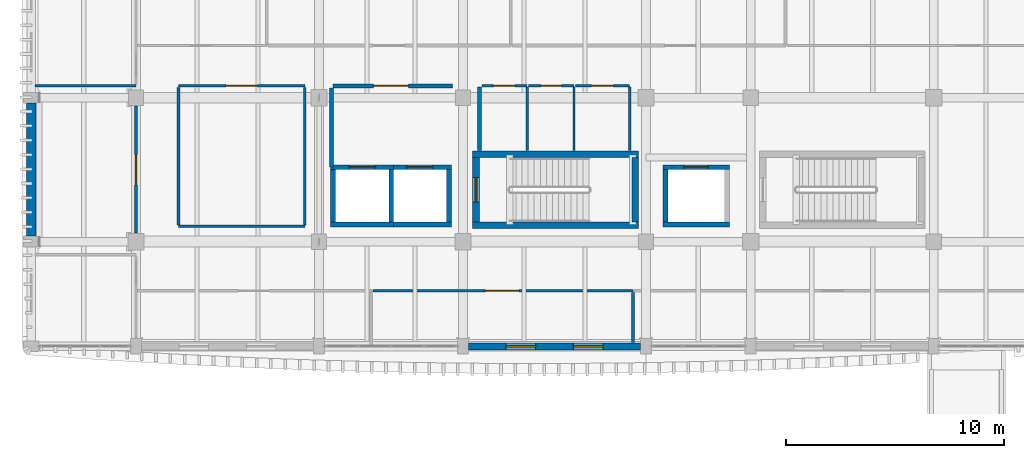
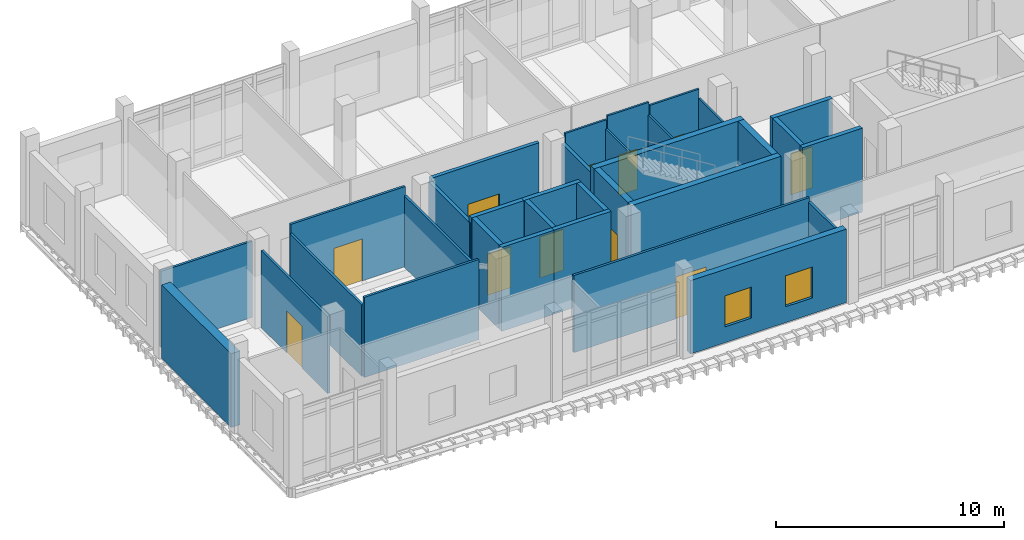
# One storey, part 51 of 76: 33 walls, 11 doors, 2 windows, 13 openings.
"""IFC4 building model written with IfcOpenShell, lengths in metres."""

from ifc_helpers import new_model, si_unit, direction, frame, frame_2d, origin, place, context, subcontext, project, spatial, rectangle, extrude, material, layer, layer_set, type_object, element, fill, save


model = new_model("IFC4")

# Units and contexts
model_context = context("Model", 3, precision=1e-05, world=origin(), true_north=direction((0.0, 1.0)))
body_context = subcontext(model_context, "Body", "Model", "MODEL_VIEW")
ifc_project = project(units=[si_unit("LENGTHUNIT", "METRE"), si_unit("AREAUNIT", "SQUARE_METRE"), si_unit("VOLUMEUNIT", "CUBIC_METRE"), si_unit("PLANEANGLEUNIT", "RADIAN"), si_unit("MASSUNIT", "GRAM", prefix="KILO")], contexts=[model_context])

# Site, building, storey
site_placement = place(None, origin())
site = spatial("IfcSite", under=ifc_project, at=site_placement, CompositionType="ELEMENT")
building_placement = place(site_placement, origin())
building = spatial("IfcBuilding", under=site, at=building_placement, Name="Dornvale Research Institute", CompositionType="ELEMENT")
storey_placement = place(building_placement, frame((0.0, 0.0, 15.0)))
storey = spatial("IfcBuildingStorey", under=building, at=storey_placement, Name="L03", CompositionType="ELEMENT", Elevation=15.0)

# Wall
ifc_material_1 = material(Name="Acoustic Insulated Double-Stud Laboratory Partition")
ifc_layer_1 = layer(ifc_material_1, 0.1201171875)
ifc_layer_set_1 = layer_set([ifc_layer_1], Name="Acoustic Insulated Double-Stud Laboratory Partition")
wall_type_1 = type_object("IfcWallType", Name="Partition_Dry_120", PredefinedType="PARTITIONING", material=ifc_layer_set_1)
wall_1_placement = place(storey_placement, frame((6.75, 104.5, 0.0), z_axis=(0.0, 0.0, 1.0), x_axis=(1.0, 0.0, 0.0)))
element("IfcWall", 1, at=wall_1_placement, inside=storey, type_object=wall_type_1, Name="L03 V5 interior partition #331", PredefinedType="PARTITIONING", context=body_context, shape_type="SweptSolid", body=[
    extrude(rectangle(XDim=5.800048828125, YDim=0.1201171875, at=frame_2d((2.89990234375, 0.0))), origin(), (0.0, 0.0, 1.0), 4.294921875),
])

# Wall, opening, door
wall_2_placement = place(storey_placement, frame((6.75, 110.949951171875, 0.0), z_axis=(0.0, 0.0, 1.0), x_axis=(1.0, 0.0, 0.0)))
wall_2 = element("IfcWall", 2, at=wall_2_placement, inside=storey, type_object=wall_type_1, Name="L03 V5 interior partition #332", PredefinedType="PARTITIONING", context=body_context, shape_type="SweptSolid", body=[
    extrude(rectangle(XDim=5.800048828125, YDim=0.1201171875, at=frame_2d((2.89990234375, 0.0))), origin(), (0.0, 0.0, 1.0), 4.294921875),
])
opening_1_placement = place(wall_2_placement, frame((2.179931640625, 0.0, 0.0)))
opening_1 = element("IfcOpeningElement", 3, at=opening_1_placement, cuts=wall_2, Name="Opening ID-07", PredefinedType="OPENING", context=body_context, shape_type="SweptSolid", body=[
    extrude(rectangle(XDim=1.43994140625, YDim=2.25, at=frame_2d((0.719970703125, 1.125))), frame((0.0, 0.074951171875, 0.0), z_axis=(0.0, -1.0, 0.0), x_axis=(1.0, 0.0, 0.0)), (0.0, 0.0, 1.0), 0.150146484375),
])
ifc_material_2 = material(Name="Insulated Fire-Rated Hollow Metal Door Assembly")
door_type_1 = type_object("IfcDoorType", Name="Door_DryLab_1440x2250", OperationType="SINGLE_SWING_LEFT", PredefinedType="DOOR", material=ifc_material_2)
door_1_placement = place(opening_1_placement, origin())
door_1 = element("IfcDoor", 4, at=door_1_placement, inside=storey, type_object=door_type_1, Name="L03 Bioinformatics Compute Node Room L03 door #133", OperationType="SINGLE_SWING_RIGHT", OverallHeight=2.25, OverallWidth=1.43994140625, PredefinedType="DOOR", context=body_context, shape_type="SweptSolid", body=[
    extrude(rectangle(XDim=1.43994140625, YDim=2.25, at=frame_2d((0.719970703125, 1.125))), frame((0.0, 0.02490234375, 0.0), z_axis=(0.0, -1.0, 0.0), x_axis=(1.0, 0.0, 0.0)), (0.0, 0.0, 1.0), 0.050048828125),
])
fill(opening_1, door_1)

# Walls
for number, where, z_axis, x_axis, name in (
    (5, (6.75, 104.574951171875, 0.0), (0.0, 0.0, 1.0), (0.0, 1.0, 0.0), "L03 V5 interior partition #333"),
    (6, (12.550048828125, 104.574951171875, 0.0), (0.0, 0.0, 1.0), (0.0, 1.0, 0.0), "L03 V5 interior partition #334"),
):
    element("IfcWall", number, at=place(storey_placement, frame(where, z_axis=z_axis, x_axis=x_axis)), inside=storey, type_object=wall_type_1, Name=name, PredefinedType="PARTITIONING", context=body_context, shape_type="SweptSolid", body=[
        extrude(rectangle(XDim=6.300048828125, YDim=0.1201171875, at=frame_2d((3.14990234375, 0.0))), origin(), (0.0, 0.0, 1.0), 3.830078125),
    ])
wall_3_placement = place(storey_placement, frame((0.175048828125, 110.949951171875, 0.0), z_axis=(0.0, 0.0, 1.0), x_axis=(1.0, 0.0, 0.0)))
element("IfcWall", 7, at=wall_3_placement, inside=storey, type_object=wall_type_1, Name="L03 V5 interior partition #336", PredefinedType="PARTITIONING", context=body_context, shape_type="SweptSolid", body=[
    extrude(rectangle(XDim=4.625, YDim=0.1201171875, at=frame_2d((2.3125, 0.0))), origin(), (0.0, 0.0, 1.0), 4.080078125),
])

# Wall, opening, door
wall_4_placement = place(storey_placement, frame((4.800048828125, 104.195068359375, 0.0), z_axis=(0.0, 0.0, 1.0), x_axis=(0.0, 1.0, 0.0)))
wall_4 = element("IfcWall", 8, at=wall_4_placement, inside=storey, type_object=wall_type_1, Name="L03 V5 interior partition #337", PredefinedType="PARTITIONING", context=body_context, shape_type="SweptSolid", body=[
    extrude(rectangle(XDim=5.8349609375, YDim=0.1201171875, at=frame_2d((2.91748046875, 0.0))), origin(), (0.0, 0.0, 1.0), 4.1298828125),
])
opening_2_placement = place(wall_4_placement, frame((2.215087890625, 0.0, 0.0)))
opening_2 = element("IfcOpeningElement", 9, at=opening_2_placement, cuts=wall_4, Name="Opening ID-08", PredefinedType="OPENING", context=body_context, shape_type="SweptSolid", body=[
    extrude(rectangle(XDim=1.3798828125, YDim=2.25, at=frame_2d((0.68994140625, 1.125))), frame((0.0, 0.074951171875, 0.0), z_axis=(0.0, -1.0, 0.0), x_axis=(1.0, 0.0, 0.0)), (0.0, 0.0, 1.0), 0.150146484375),
])
ifc_material_3 = material(Name="Insulated Fire-Rated Hollow Metal Door Assembly")
door_type_2 = type_object("IfcDoorType", Name="Door_DryLab_1380x2250", OperationType="SINGLE_SWING_LEFT", PredefinedType="DOOR", material=ifc_material_3)
door_2_placement = place(opening_2_placement, origin())
door_2 = element("IfcDoor", 10, at=door_2_placement, inside=storey, type_object=door_type_2, Name="L03 Ecological Specimen Digitization Room L03 door #134", OperationType="SINGLE_SWING_LEFT", OverallHeight=2.25, OverallWidth=1.3798828125, PredefinedType="DOOR", context=body_context, shape_type="SweptSolid", body=[
    extrude(rectangle(XDim=1.3798828125, YDim=2.25, at=frame_2d((0.68994140625, 1.125))), frame((0.0, 0.02490234375, 0.0), z_axis=(0.0, -1.0, 0.0), x_axis=(1.0, 0.0, 0.0)), (0.0, 0.0, 1.0), 0.050048828125),
])
fill(opening_2, door_2)

wall_5_placement = place(storey_placement, frame((15.675048828125, 101.550048828125, 0.0), z_axis=(0.0, 0.0, 1.0), x_axis=(1.0, 0.0, 0.0)))
wall_5 = element("IfcWall", 11, at=wall_5_placement, inside=storey, type_object=wall_type_1, Name="L03 V5 interior partition #350", PredefinedType="PARTITIONING", context=body_context, shape_type="SweptSolid", body=[
    extrude(rectangle(XDim=11.925048828125, YDim=0.1201171875, at=frame_2d((5.96240234375, 0.0))), origin(), (0.0, 0.0, 1.0), 4.1298828125),
])
opening_3_placement = place(wall_5_placement, frame((5.155029296875, 0.0, 0.0)))
opening_3 = element("IfcOpeningElement", 12, at=opening_3_placement, cuts=wall_5, Name="Opening ID-12", PredefinedType="OPENING", context=body_context, shape_type="SweptSolid", body=[
    extrude(rectangle(XDim=1.5400390625, YDim=2.25, at=frame_2d((0.77001953125, 1.125))), frame((0.0, 0.074951171875, 0.0), z_axis=(0.0, -1.0, 0.0), x_axis=(1.0, 0.0, 0.0)), (0.0, 0.0, 1.0), 0.150146484375),
])
ifc_material_4 = material(Name="Phenolic-Faced Solid-Core Laboratory Door Assembly")
door_type_3 = type_object("IfcDoorType", Name="Door_Seminar_1540x2250", OperationType="SINGLE_SWING_LEFT", PredefinedType="DOOR", material=ifc_material_4)
door_3_placement = place(opening_3_placement, origin())
door_3 = element("IfcDoor", 13, at=door_3_placement, inside=storey, type_object=door_type_3, Name="L03 Colloquium Seminar Room L03 door #142", OperationType="SINGLE_SWING_LEFT", OverallHeight=2.25, OverallWidth=1.5400390625, PredefinedType="DOOR", context=body_context, shape_type="SweptSolid", body=[
    extrude(rectangle(XDim=1.5400390625, YDim=2.25, at=frame_2d((0.77001953125, 1.125))), frame((0.0, 0.02490234375, 0.0), z_axis=(0.0, -1.0, 0.0), x_axis=(1.0, 0.0, 0.0)), (0.0, 0.0, 1.0), 0.050048828125),
])
fill(opening_3, door_3)

# Wall
wall_6_placement = place(storey_placement, frame((27.60009765625, 99.175048828125, 0.0), z_axis=(0.0, 0.0, 1.0), x_axis=(0.0, 1.0, 0.0)))
element("IfcWall", 14, at=wall_6_placement, inside=storey, type_object=wall_type_1, Name="L03 V5 interior partition #351", PredefinedType="PARTITIONING", context=body_context, shape_type="SweptSolid", body=[
    extrude(rectangle(XDim=2.300048828125, YDim=0.1201171875, at=frame_2d((1.14990234375, 0.0))), origin(), (0.0, 0.0, 1.0), 3.929931640625),
])

# Wall, opening, door
ifc_material_5 = material(Name="Fire-Rated Gypsum Board on Cold-Formed Steel Studs", Category="steel")
ifc_layer_2 = layer(ifc_material_5, 0.179931640625)
ifc_layer_set_2 = layer_set([ifc_layer_2], Name="Fire-Rated Gypsum Board on Cold-Formed Steel Studs")
wall_type_2 = type_object("IfcWallType", Name="Partition_FireLobby_180", PredefinedType="PARTITIONING", material=ifc_layer_set_2)
wall_7_placement = place(storey_placement, frame((13.85009765625, 110.949951171875, 0.0), z_axis=(0.0, 0.0, 1.0), x_axis=(1.0, 0.0, 0.0)))
wall_7 = element("IfcWall", 15, at=wall_7_placement, inside=storey, type_object=wall_type_2, Name="L03 Fire Service Access Elevator Lobby north rated partition", PredefinedType="PARTITIONING", context=body_context, shape_type="SweptSolid", body=[
    extrude(rectangle(XDim=5.469970703125, YDim=0.179931640625, at=frame_2d((2.73486328125, 0.0))), origin(), (0.0, 0.0, 1.0), 4.294921875),
])
opening_4_placement = place(wall_7_placement, frame((1.85009765625, 0.0, 0.0)))
opening_4 = element("IfcOpeningElement", 16, at=opening_4_placement, cuts=wall_7, Name="Opening FD-01", PredefinedType="OPENING", context=body_context, shape_type="SweptSolid", body=[
    extrude(rectangle(XDim=1.60009765625, YDim=2.25, at=frame_2d((0.800048828125, 1.125))), frame((0.0, 0.10498046875, 0.0), z_axis=(0.0, -1.0, 0.0), x_axis=(1.0, 0.0, 0.0)), (0.0, 0.0, 1.0), 0.2099609375),
])
ifc_material_6 = material(Name="Insulated Fire-Rated Hollow Metal Door Assembly")
door_type_4 = type_object("IfcDoorType", Name="Door_FireLobby_1600x2250", OperationType="SINGLE_SWING_LEFT", PredefinedType="DOOR", material=ifc_material_6)
door_4_placement = place(opening_4_placement, origin())
door_4 = element("IfcDoor", 17, at=door_4_placement, inside=storey, type_object=door_type_4, Name="L03 Fire Service Access Elevator Lobby door", OperationType="DOUBLE_DOOR_SINGLE_SWING", OverallHeight=2.25, OverallWidth=1.60009765625, PredefinedType="DOOR", context=body_context, shape_type="SweptSolid", body=[
    extrude(rectangle(XDim=1.60009765625, YDim=2.25, at=frame_2d((0.800048828125, 1.125))), frame((0.0, 0.02490234375, 0.0), z_axis=(0.0, -1.0, 0.0), x_axis=(1.0, 0.0, 0.0)), (0.0, 0.0, 1.0), 0.050048828125),
])
fill(opening_4, door_4)

# Walls
wall_8_placement = place(storey_placement, frame((13.780029296875, 107.22998046875, 0.0), z_axis=(0.0, 0.0, 1.0), x_axis=(0.0, 1.0, 0.0)))
element("IfcWall", 18, at=wall_8_placement, inside=storey, type_object=wall_type_2, Name="L03 Fire Service Access Elevator Lobby west rated partition", PredefinedType="PARTITIONING", context=body_context, shape_type="SweptSolid", body=[
    extrude(rectangle(XDim=3.610107421875, YDim=0.179931640625, at=frame_2d((1.80517578125, 0.0))), origin(), (0.0, 0.0, 1.0), 4.179931640625),
])
wall_9_placement = place(storey_placement, frame((20.56005859375, 107.97998046875, 0.0), z_axis=(0.0, 0.0, 1.0), x_axis=(0.0, 1.0, 0.0)))
element("IfcWall", 19, at=wall_9_placement, inside=storey, type_object=wall_type_2, Name="L03 Fire Service Access Elevator Lobby east rated partition", PredefinedType="PARTITIONING", context=body_context, shape_type="SweptSolid", body=[
    extrude(rectangle(XDim=2.909912109375, YDim=0.179931640625, at=frame_2d((1.455078125, 0.0))), origin(), (0.0, 0.0, 1.0), 3.830078125),
])

# Wall, opening, door
ifc_material_7 = material(Name="Acoustic Insulated Double-Stud Laboratory Partition")
ifc_layer_3 = layer(ifc_material_7, 0.10009765625)
ifc_layer_set_3 = layer_set([ifc_layer_3], Name="Acoustic Insulated Double-Stud Laboratory Partition")
wall_type_3 = type_object("IfcWallType", Name="Partition_Office_100", PredefinedType="PARTITIONING", material=ifc_layer_set_3)
wall_10_placement = place(storey_placement, frame((20.6650390625, 110.949951171875, 0.0), z_axis=(0.0, 0.0, 1.0), x_axis=(1.0, 0.0, 0.0)))
wall_10 = element("IfcWall", 20, at=wall_10_placement, inside=storey, type_object=wall_type_3, Name="L03 V5 interior partition #325", PredefinedType="PARTITIONING", context=body_context, shape_type="SweptSolid", body=[
    extrude(rectangle(XDim=2.0849609375, YDim=0.10009765625, at=frame_2d((1.04248046875, 0.0))), origin(), (0.0, 0.0, 1.0), 4.294921875),
])
opening_5_placement = place(wall_10_placement, frame((0.534912109375, 0.0, 0.0)))
opening_5 = element("IfcOpeningElement", 21, at=opening_5_placement, cuts=wall_10, Name="Opening ID-24", PredefinedType="OPENING", context=body_context, shape_type="SweptSolid", body=[
    extrude(rectangle(XDim=1.0, YDim=2.14990234375, at=frame_2d((0.5, 1.074951171875))), frame((0.0, 0.06494140625, 0.0), z_axis=(0.0, -1.0, 0.0), x_axis=(1.0, 0.0, 0.0)), (0.0, 0.0, 1.0), 0.130126953125),
])
ifc_material_8 = material(Name="Phenolic-Faced Solid-Core Laboratory Door Assembly")
door_type_5 = type_object("IfcDoorType", Name="Door_AccWC_1000x2150", OperationType="SINGLE_SWING_LEFT", PredefinedType="DOOR", material=ifc_material_8)
door_5_placement = place(opening_5_placement, origin())
door_5 = element("IfcDoor", 22, at=door_5_placement, inside=storey, type_object=door_type_5, Name="L03 Male Restroom L03 door #130", OperationType="SINGLE_SWING_LEFT", OverallHeight=2.14990234375, OverallWidth=1.0, PredefinedType="DOOR", context=body_context, shape_type="SweptSolid", body=[
    extrude(rectangle(XDim=1.0, YDim=2.14990234375, at=frame_2d((0.5, 1.074951171875))), frame((0.0, 0.02490234375, 0.0), z_axis=(0.0, -1.0, 0.0), x_axis=(1.0, 0.0, 0.0)), (0.0, 0.0, 1.0), 0.050048828125),
])
fill(opening_5, door_5)

# Wall
wall_11_placement = place(storey_placement, frame((22.75, 107.97998046875, 0.0), z_axis=(0.0, 0.0, 1.0), x_axis=(0.0, 1.0, 0.0)))
element("IfcWall", 23, at=wall_11_placement, inside=storey, type_object=wall_type_3, Name="L03 V5 interior partition #326", PredefinedType="PARTITIONING", context=body_context, shape_type="SweptSolid", body=[
    extrude(rectangle(XDim=2.905029296875, YDim=0.10009765625, at=frame_2d((1.45263671875, 0.0))), origin(), (0.0, 0.0, 1.0), 3.830078125),
])

# Wall, opening, door
wall_12_placement = place(storey_placement, frame((22.81494140625, 110.949951171875, 0.0), z_axis=(0.0, 0.0, 1.0), x_axis=(1.0, 0.0, 0.0)))
wall_12 = element("IfcWall", 24, at=wall_12_placement, inside=storey, type_object=wall_type_3, Name="L03 V5 interior partition #327", PredefinedType="PARTITIONING", context=body_context, shape_type="SweptSolid", body=[
    extrude(rectangle(XDim=2.0849609375, YDim=0.10009765625, at=frame_2d((1.04248046875, 0.0))), origin(), (0.0, 0.0, 1.0), 4.47998046875),
])
opening_6_placement = place(wall_12_placement, frame((0.56005859375, 0.0, 0.0)))
opening_6 = element("IfcOpeningElement", 25, at=opening_6_placement, cuts=wall_12, Name="Opening ID-23", PredefinedType="OPENING", context=body_context, shape_type="SweptSolid", body=[
    extrude(rectangle(XDim=0.949951171875, YDim=2.14990234375, at=frame_2d((0.47509765625, 1.074951171875))), frame((0.0, 0.06494140625, 0.0), z_axis=(0.0, -1.0, 0.0), x_axis=(1.0, 0.0, 0.0)), (0.0, 0.0, 1.0), 0.130126953125),
])
ifc_material_9 = material(Name="Phenolic-Faced Solid-Core Laboratory Door Assembly")
door_type_6 = type_object("IfcDoorType", Name="Door_WC_950x2150", OperationType="SINGLE_SWING_LEFT", PredefinedType="DOOR", material=ifc_material_9)
door_6_placement = place(opening_6_placement, origin())
door_6 = element("IfcDoor", 26, at=door_6_placement, inside=storey, type_object=door_type_6, Name="L03 Female Restroom L03 door #131", OperationType="SINGLE_SWING_RIGHT", OverallHeight=2.14990234375, OverallWidth=0.949951171875, PredefinedType="DOOR", context=body_context, shape_type="SweptSolid", body=[
    extrude(rectangle(XDim=0.949951171875, YDim=2.14990234375, at=frame_2d((0.47509765625, 1.074951171875))), frame((0.0, 0.02490234375, 0.0), z_axis=(0.0, -1.0, 0.0), x_axis=(1.0, 0.0, 0.0)), (0.0, 0.0, 1.0), 0.050048828125),
])
fill(opening_6, door_6)

# Wall
wall_13_placement = place(storey_placement, frame((24.89990234375, 107.97998046875, 0.0), z_axis=(0.0, 0.0, 1.0), x_axis=(0.0, 1.0, 0.0)))
element("IfcWall", 27, at=wall_13_placement, inside=storey, type_object=wall_type_3, Name="L03 V5 interior partition #328", PredefinedType="PARTITIONING", context=body_context, shape_type="SweptSolid", body=[
    extrude(rectangle(XDim=2.905029296875, YDim=0.10009765625, at=frame_2d((1.45263671875, 0.0))), origin(), (0.0, 0.0, 1.0), 3.830078125),
])

# Wall, opening, door
wall_14_placement = place(storey_placement, frame((24.965087890625, 110.949951171875, 0.0), z_axis=(0.0, 0.0, 1.0), x_axis=(1.0, 0.0, 0.0)))
wall_14 = element("IfcWall", 28, at=wall_14_placement, inside=storey, type_object=wall_type_3, Name="L03 V5 interior partition #329", PredefinedType="PARTITIONING", context=body_context, shape_type="SweptSolid", body=[
    extrude(rectangle(XDim=2.48486328125, YDim=0.10009765625, at=frame_2d((1.242431640625, 0.0))), origin(), (0.0, 0.0, 1.0), 4.294921875),
])
opening_7_placement = place(wall_14_placement, frame((0.735107421875, 0.0, 0.0)))
opening_7 = element("IfcOpeningElement", 29, at=opening_7_placement, cuts=wall_14, Name="Opening ID-24", PredefinedType="OPENING", context=body_context, shape_type="SweptSolid", body=[
    extrude(rectangle(XDim=1.0, YDim=2.14990234375, at=frame_2d((0.5, 1.074951171875))), frame((0.0, 0.06494140625, 0.0), z_axis=(0.0, -1.0, 0.0), x_axis=(1.0, 0.0, 0.0)), (0.0, 0.0, 1.0), 0.130126953125),
])
door_7_placement = place(opening_7_placement, origin())
door_7 = element("IfcDoor", 30, at=door_7_placement, inside=storey, type_object=door_type_5, Name="L03 Accessible Restroom L03 door #132", OperationType="SINGLE_SWING_LEFT", OverallHeight=2.14990234375, OverallWidth=1.0, PredefinedType="DOOR", context=body_context, shape_type="SweptSolid", body=[
    extrude(rectangle(XDim=1.0, YDim=2.14990234375, at=frame_2d((0.5, 1.074951171875))), frame((0.0, 0.02490234375, 0.0), z_axis=(0.0, -1.0, 0.0), x_axis=(1.0, 0.0, 0.0)), (0.0, 0.0, 1.0), 0.050048828125),
])
fill(opening_7, door_7)

# Walls
wall_15_placement = place(storey_placement, frame((27.449951171875, 107.97998046875, 0.0), z_axis=(0.0, 0.0, 1.0), x_axis=(0.0, 1.0, 0.0)))
element("IfcWall", 31, at=wall_15_placement, inside=storey, type_object=wall_type_3, Name="L03 V5 interior partition #330", PredefinedType="PARTITIONING", context=body_context, shape_type="SweptSolid", body=[
    extrude(rectangle(XDim=2.905029296875, YDim=0.10009765625, at=frame_2d((1.45263671875, 0.0))), origin(), (0.0, 0.0, 1.0), 3.830078125),
])
ifc_material_10 = material(Name="Concrete f'c 50 MPa (C40/50)", Category="concrete")
ifc_layer_4 = layer(ifc_material_10, 0.300048828125)
ifc_layer_set_4 = layer_set([ifc_layer_4], Name="Concrete f'c 50 MPa (C40/50)")
wall_type_4 = type_object("IfcWallType", Name="ShearWall_Core_300", PredefinedType="SHEAR", material=ifc_layer_set_4)
for number, where, z_axis, x_axis, name in (
    (32, (20.25, 104.550048828125, 0.0), (0.0, 0.0, 1.0), (1.0, 0.0, 0.0), "L03 ST-1 shaft shear wall south"),
    (33, (20.25, 107.81005859375, 0.0), (0.0, 0.0, 1.0), (1.0, 0.0, 0.0), "L03 ST-1 shaft shear wall north"),
):
    element("IfcWall", number, at=place(storey_placement, frame(where, z_axis=z_axis, x_axis=x_axis)), inside=storey, type_object=wall_type_4, Name=name, PredefinedType="SHEAR", context=body_context, shape_type="SweptSolid", body=[
        extrude(rectangle(XDim=7.60009765625, YDim=0.300048828125, at=frame_2d((3.800048828125, 0.0))), origin(), (0.0, 0.0, 1.0), 4.5),
    ])

# Wall, opening, door
wall_16_placement = place(storey_placement, frame((20.39990234375, 104.699951171875, 0.0), z_axis=(0.0, 0.0, 1.0), x_axis=(0.0, 1.0, 0.0)))
wall_16 = element("IfcWall", 34, at=wall_16_placement, inside=storey, type_object=wall_type_4, Name="L03 ST-1 shaft shear wall west", PredefinedType="SHEAR", context=body_context, shape_type="SweptSolid", body=[
    extrude(rectangle(XDim=2.9599609375, YDim=0.300048828125, at=frame_2d((1.47998046875, 0.0))), origin(), (0.0, 0.0, 1.0), 4.5),
])
opening_8_placement = place(wall_16_placement, frame((0.919921875, 0.0, 0.0)))
opening_8 = element("IfcOpeningElement", 35, at=opening_8_placement, cuts=wall_16, Name="Opening SD-01", PredefinedType="OPENING", context=body_context, shape_type="SweptSolid", body=[
    extrude(rectangle(XDim=1.1201171875, YDim=2.199951171875, at=frame_2d((0.56005859375, 1.10009765625))), frame((0.0, 0.1650390625, 0.0), z_axis=(0.0, -1.0, 0.0), x_axis=(1.0, 0.0, 0.0)), (0.0, 0.0, 1.0), 0.330078125),
])
ifc_material_11 = material(Name="Insulated Fire-Rated Hollow Metal Door Assembly")
door_type_7 = type_object("IfcDoorType", Name="Door_Stair_1120x2200", OperationType="SINGLE_SWING_LEFT", PredefinedType="DOOR", material=ifc_material_11)
door_8_placement = place(opening_8_placement, origin())
door_8 = element("IfcDoor", 36, at=door_8_placement, inside=storey, type_object=door_type_7, Name="L03 ST-1 exit stair door #5", OperationType="SINGLE_SWING_LEFT", OverallHeight=2.199951171875, OverallWidth=1.1201171875, PredefinedType="DOOR", context=body_context, shape_type="SweptSolid", body=[
    extrude(rectangle(XDim=1.1201171875, YDim=2.199951171875, at=frame_2d((0.56005859375, 1.10009765625))), frame((0.0, 0.02490234375, 0.0), z_axis=(0.0, -1.0, 0.0), x_axis=(1.0, 0.0, 0.0)), (0.0, 0.0, 1.0), 0.050048828125),
])
fill(opening_8, door_8)

# Walls
wall_17_placement = place(storey_placement, frame((27.699951171875, 104.699951171875, 0.0), z_axis=(0.0, 0.0, 1.0), x_axis=(0.0, 1.0, 0.0)))
element("IfcWall", 37, at=wall_17_placement, inside=storey, type_object=wall_type_4, Name="L03 ST-1 shaft shear wall east", PredefinedType="SHEAR", context=body_context, shape_type="SweptSolid", body=[
    extrude(rectangle(XDim=2.9599609375, YDim=0.300048828125, at=frame_2d((1.47998046875, 0.0))), origin(), (0.0, 0.0, 1.0), 4.5),
])
ifc_material_12 = material(Name="Concrete f'c 45 MPa (C35/45)", Category="concrete")
ifc_layer_5 = layer(ifc_material_12, 0.219970703125)
ifc_layer_set_5 = layer_set([ifc_layer_5], Name="Concrete f'c 45 MPa (C35/45)")
wall_type_5 = type_object("IfcWallType", Name="ShearWall_Shaft_220", PredefinedType="SHEAR", material=ifc_layer_set_5)
wall_18_placement = place(storey_placement, frame((13.72998046875, 104.590087890625, 0.0), z_axis=(0.0, 0.0, 1.0), x_axis=(1.0, 0.0, 0.0)))
element("IfcWall", 38, at=wall_18_placement, inside=storey, type_object=wall_type_5, Name="L03 FS1 elevator shaft wall south", PredefinedType="SHEAR", context=body_context, shape_type="SweptSolid", body=[
    extrude(rectangle(XDim=2.89013671875, YDim=0.219970703125, at=frame_2d((1.445068359375, 0.0))), origin(), (0.0, 0.0, 1.0), 4.5),
])

# Wall, opening, door
wall_19_placement = place(storey_placement, frame((13.72998046875, 107.2099609375, 0.0), z_axis=(0.0, 0.0, 1.0), x_axis=(1.0, 0.0, 0.0)))
wall_19 = element("IfcWall", 39, at=wall_19_placement, inside=storey, type_object=wall_type_5, Name="L03 FS1 elevator shaft wall north", PredefinedType="SHEAR", context=body_context, shape_type="SweptSolid", body=[
    extrude(rectangle(XDim=2.89013671875, YDim=0.219970703125, at=frame_2d((1.445068359375, 0.0))), origin(), (0.0, 0.0, 1.0), 4.5),
])
opening_9_placement = place(wall_19_placement, frame((0.844970703125, 0.0, 0.0)))
opening_9 = element("IfcOpeningElement", 40, at=opening_9_placement, cuts=wall_19, Name="Opening LD-01", PredefinedType="OPENING", context=body_context, shape_type="SweptSolid", body=[
    extrude(rectangle(XDim=1.199951171875, YDim=2.199951171875, at=frame_2d((0.60009765625, 1.10009765625))), frame((0.0, 0.125, 0.0), z_axis=(0.0, -1.0, 0.0), x_axis=(1.0, 0.0, 0.0)), (0.0, 0.0, 1.0), 0.25),
])
ifc_material_13 = material(Name="Brushed Stainless Steel Sliding Elevator Landing Door", Category="steel")
door_type_8 = type_object("IfcDoorType", Name="Door_LiftLanding_FSAE_1200x2200", OperationType="SINGLE_SWING_LEFT", PredefinedType="DOOR", material=ifc_material_13)
door_9_placement = place(opening_9_placement, origin())
door_9 = element("IfcDoor", 41, at=door_9_placement, inside=storey, type_object=door_type_8, Name="L03 FS1 sliding elevator landing door #5", OperationType="DOUBLE_DOOR_SLIDING", OverallHeight=2.199951171875, OverallWidth=1.199951171875, PredefinedType="DOOR", context=body_context, shape_type="SweptSolid", body=[
    extrude(rectangle(XDim=1.199951171875, YDim=2.199951171875, at=frame_2d((0.60009765625, 1.10009765625))), frame((0.0, 0.02490234375, 0.0), z_axis=(0.0, -1.0, 0.0), x_axis=(1.0, 0.0, 0.0)), (0.0, 0.0, 1.0), 0.050048828125),
])
fill(opening_9, door_9)

# Walls
for number, where, z_axis, x_axis, name in (
    (42, (13.840087890625, 104.699951171875, 0.0), (0.0, 0.0, 1.0), (0.0, 1.0, 0.0), "L03 FS1 elevator shaft wall west"),
    (43, (16.510009765625, 104.699951171875, 0.0), (0.0, 0.0, 1.0), (0.0, 1.0, 0.0), "L03 FS1 elevator shaft wall east"),
):
    element("IfcWall", number, at=place(storey_placement, frame(where, z_axis=z_axis, x_axis=x_axis)), inside=storey, type_object=wall_type_5, Name=name, PredefinedType="SHEAR", context=body_context, shape_type="SweptSolid", body=[
        extrude(rectangle(XDim=2.400146484375, YDim=0.219970703125, at=frame_2d((1.2001953125, 0.0))), origin(), (0.0, 0.0, 1.0), 4.5),
    ])
wall_20_placement = place(storey_placement, frame((16.3798828125, 104.590087890625, 0.0), z_axis=(0.0, 0.0, 1.0), x_axis=(1.0, 0.0, 0.0)))
element("IfcWall", 44, at=wall_20_placement, inside=storey, type_object=wall_type_5, Name="L03 FS2 elevator shaft wall south", PredefinedType="SHEAR", context=body_context, shape_type="SweptSolid", body=[
    extrude(rectangle(XDim=2.89013671875, YDim=0.219970703125, at=frame_2d((1.445068359375, 0.0))), origin(), (0.0, 0.0, 1.0), 4.5),
])

# Wall, opening, door
wall_21_placement = place(storey_placement, frame((16.3798828125, 107.2099609375, 0.0), z_axis=(0.0, 0.0, 1.0), x_axis=(1.0, 0.0, 0.0)))
wall_21 = element("IfcWall", 45, at=wall_21_placement, inside=storey, type_object=wall_type_5, Name="L03 FS2 elevator shaft wall north", PredefinedType="SHEAR", context=body_context, shape_type="SweptSolid", body=[
    extrude(rectangle(XDim=2.89013671875, YDim=0.219970703125, at=frame_2d((1.445068359375, 0.0))), origin(), (0.0, 0.0, 1.0), 4.5),
])
opening_10_placement = place(wall_21_placement, frame((0.844970703125, 0.0, 0.0)))
opening_10 = element("IfcOpeningElement", 46, at=opening_10_placement, cuts=wall_21, Name="Opening LD-01", PredefinedType="OPENING", context=body_context, shape_type="SweptSolid", body=[
    extrude(rectangle(XDim=1.199951171875, YDim=2.199951171875, at=frame_2d((0.60009765625, 1.10009765625))), frame((0.0, 0.125, 0.0), z_axis=(0.0, -1.0, 0.0), x_axis=(1.0, 0.0, 0.0)), (0.0, 0.0, 1.0), 0.25),
])
door_10_placement = place(opening_10_placement, origin())
door_10 = element("IfcDoor", 47, at=door_10_placement, inside=storey, type_object=door_type_8, Name="L03 FS2 sliding elevator landing door #17", OperationType="DOUBLE_DOOR_SLIDING", OverallHeight=2.199951171875, OverallWidth=1.199951171875, PredefinedType="DOOR", context=body_context, shape_type="SweptSolid", body=[
    extrude(rectangle(XDim=1.199951171875, YDim=2.199951171875, at=frame_2d((0.60009765625, 1.10009765625))), frame((0.0, 0.02490234375, 0.0), z_axis=(0.0, -1.0, 0.0), x_axis=(1.0, 0.0, 0.0)), (0.0, 0.0, 1.0), 0.050048828125),
])
fill(opening_10, door_10)

# Walls
wall_22_placement = place(storey_placement, frame((19.159912109375, 104.699951171875, 0.0), z_axis=(0.0, 0.0, 1.0), x_axis=(0.0, 1.0, 0.0)))
element("IfcWall", 48, at=wall_22_placement, inside=storey, type_object=wall_type_5, Name="L03 FS2 elevator shaft wall east", PredefinedType="SHEAR", context=body_context, shape_type="SweptSolid", body=[
    extrude(rectangle(XDim=2.400146484375, YDim=0.219970703125, at=frame_2d((1.2001953125, 0.0))), origin(), (0.0, 0.0, 1.0), 4.5),
])
wall_23_placement = place(storey_placement, frame((28.97998046875, 104.590087890625, 0.0), z_axis=(0.0, 0.0, 1.0), x_axis=(1.0, 0.0, 0.0)))
element("IfcWall", 49, at=wall_23_placement, inside=storey, type_object=wall_type_5, Name="L03 LP1 elevator shaft wall south", PredefinedType="SHEAR", context=body_context, shape_type="SweptSolid", body=[
    extrude(rectangle(XDim=3.0400390625, YDim=0.219970703125, at=frame_2d((1.52001953125, 0.0))), origin(), (0.0, 0.0, 1.0), 4.5),
])

# Wall, opening, door
wall_24_placement = place(storey_placement, frame((28.97998046875, 107.2099609375, 0.0), z_axis=(0.0, 0.0, 1.0), x_axis=(1.0, 0.0, 0.0)))
wall_24 = element("IfcWall", 50, at=wall_24_placement, inside=storey, type_object=wall_type_5, Name="L03 LP1 elevator shaft wall north", PredefinedType="SHEAR", context=body_context, shape_type="SweptSolid", body=[
    extrude(rectangle(XDim=3.0400390625, YDim=0.219970703125, at=frame_2d((1.52001953125, 0.0))), origin(), (0.0, 0.0, 1.0), 4.5),
])
opening_11_placement = place(wall_24_placement, frame((0.969970703125, 0.0, 0.0)))
opening_11 = element("IfcOpeningElement", 51, at=opening_11_placement, cuts=wall_24, Name="Opening LD-02", PredefinedType="OPENING", context=body_context, shape_type="SweptSolid", body=[
    extrude(rectangle(XDim=1.10009765625, YDim=2.199951171875, at=frame_2d((0.550048828125, 1.10009765625))), frame((0.0, 0.125, 0.0), z_axis=(0.0, -1.0, 0.0), x_axis=(1.0, 0.0, 0.0)), (0.0, 0.0, 1.0), 0.25),
])
ifc_material_14 = material(Name="Brushed Stainless Steel Sliding Elevator Landing Door", Category="steel")
door_type_9 = type_object("IfcDoorType", Name="Door_LiftLanding_Pass_1100x2200", OperationType="SINGLE_SWING_LEFT", PredefinedType="DOOR", material=ifc_material_14)
door_11_placement = place(opening_11_placement, origin())
door_11 = element("IfcDoor", 52, at=door_11_placement, inside=storey, type_object=door_type_9, Name="L03 LP1 sliding elevator landing door #29", OperationType="SLIDING_TO_LEFT", OverallHeight=2.199951171875, OverallWidth=1.10009765625, PredefinedType="DOOR", context=body_context, shape_type="SweptSolid", body=[
    extrude(rectangle(XDim=1.10009765625, YDim=2.199951171875, at=frame_2d((0.550048828125, 1.10009765625))), frame((0.0, 0.02490234375, 0.0), z_axis=(0.0, -1.0, 0.0), x_axis=(1.0, 0.0, 0.0)), (0.0, 0.0, 1.0), 0.050048828125),
])
fill(opening_11, door_11)

# Walls
wall_25_placement = place(storey_placement, frame((29.090087890625, 104.699951171875, 0.0), z_axis=(0.0, 0.0, 1.0), x_axis=(0.0, 1.0, 0.0)))
element("IfcWall", 53, at=wall_25_placement, inside=storey, type_object=wall_type_5, Name="L03 LP1 elevator shaft wall west", PredefinedType="SHEAR", context=body_context, shape_type="SweptSolid", body=[
    extrude(rectangle(XDim=2.400146484375, YDim=0.219970703125, at=frame_2d((1.2001953125, 0.0))), origin(), (0.0, 0.0, 1.0), 4.5),
])
ifc_material_15 = material(Name="Precast Concrete f'c 40 MPa (C32/40) and Glazed Terracotta Backup Wall", Category="masonry")
ifc_layer_6 = layer(ifc_material_15, 0.449951171875)
ifc_layer_set_6 = layer_set([ifc_layer_6], Name="Precast Concrete f'c 40 MPa (C32/40) and Glazed Terracotta Backup Wall")
wall_type_6 = type_object("IfcWallType", Name="SolidWall_ShearBraceBay_450", PredefinedType="SOLIDWALL", material=ifc_layer_set_6)
wall_26_placement = place(storey_placement, frame((0.0, 104.050048828125, 0.0), z_axis=(0.0, 0.0, 1.0), x_axis=(0.0, 1.0, 0.0)))
element("IfcWall", 54, at=wall_26_placement, inside=storey, type_object=wall_type_6, Name="L03 V5 west exterior wall #333", PredefinedType="SOLIDWALL", context=body_context, shape_type="SweptSolid", body=[
    extrude(rectangle(XDim=6.099853515625, YDim=0.449951171875, at=frame_2d((3.0498046875, 0.0))), origin(), (0.0, 0.0, 1.0), 3.949951171875),
])

# Wall, openings, windows
ifc_material_16 = material(Name="Catalan Pressed Brick and Insulated Cavity Assembly", Category="masonry")
ifc_layer_7 = layer(ifc_material_16, 0.320068359375)
ifc_layer_set_7 = layer_set([ifc_layer_7], Name="Catalan Pressed Brick and Insulated Cavity Assembly")
wall_type_7 = type_object("IfcWallType", Name="StandardWall_BrickCavity_320", PredefinedType="STANDARD", material=ifc_layer_set_7)
wall_27_placement = place(storey_placement, frame((27.949951171875, 99.0, 0.0), z_axis=(0.0, 0.0, 1.0), x_axis=(-1.0, 0.0, 0.0)))
wall_27 = element("IfcWall", 55, at=wall_27_placement, inside=storey, type_object=wall_type_7, Name="L03 V5 south exterior wall #343", PredefinedType="STANDARD", context=body_context, shape_type="SweptSolid", body=[
    extrude(rectangle(XDim=7.89990234375, YDim=0.320068359375, at=frame_2d((3.949951171875, 0.0))), origin(), (0.0, 0.0, 1.0), 3.929931640625),
])
opening_12_placement = place(wall_27_placement, frame((1.7333984375, 0.0, 0.85009765625)))
opening_12 = element("IfcOpeningElement", 56, at=opening_12_placement, cuts=wall_27, Name="Opening W-02", PredefinedType="OPENING", context=body_context, shape_type="SweptSolid", body=[
    extrude(rectangle(XDim=1.35009765625, YDim=1.659912109375, at=frame_2d((0.675048828125, 0.830078125))), frame((0.0, 0.175048828125, 0.0), z_axis=(0.0, -1.0, 0.0), x_axis=(1.0, 0.0, 0.0)), (0.0, 0.0, 1.0), 0.35009765625),
])
opening_13_placement = place(wall_27_placement, frame((4.816650390625, 0.0, 0.85009765625)))
opening_13 = element("IfcOpeningElement", 57, at=opening_13_placement, cuts=wall_27, Name="Opening W-02", PredefinedType="OPENING", context=body_context, shape_type="SweptSolid", body=[
    extrude(rectangle(XDim=1.35009765625, YDim=1.659912109375, at=frame_2d((0.675048828125, 0.830078125))), frame((0.0, 0.175048828125, 0.0), z_axis=(0.0, -1.0, 0.0), x_axis=(1.0, 0.0, 0.0)), (0.0, 0.0, 1.0), 0.35009765625),
])
ifc_material_17 = material(Name="Low-E Argon Double Insulating Glazing Unit", Category="glass")
window_type = type_object("IfcWindowType", Name="Window_Alu_1350x1660_02", PartitioningType="SINGLE_PANEL", PredefinedType="WINDOW", material=ifc_material_17)
window_1_placement = place(opening_12_placement, origin())
window_1 = element("IfcWindow", 58, at=window_1_placement, inside=storey, type_object=window_type, Name="L03 V5 facade window W-02 #462", OverallHeight=1.659912109375, OverallWidth=1.35009765625, PartitioningType="SINGLE_PANEL", PredefinedType="WINDOW", context=body_context, shape_type="SweptSolid", body=[
    extrude(rectangle(XDim=1.35009765625, YDim=1.659912109375, at=frame_2d((0.675048828125, 0.830078125))), frame((0.0, 0.030029296875, 0.0), z_axis=(0.0, -1.0, 0.0), x_axis=(1.0, 0.0, 0.0)), (0.0, 0.0, 1.0), 0.06005859375),
])
fill(opening_12, window_1)
window_2_placement = place(opening_13_placement, origin())
window_2 = element("IfcWindow", 59, at=window_2_placement, inside=storey, type_object=window_type, Name="L03 V5 facade window W-02 #463", OverallHeight=1.659912109375, OverallWidth=1.35009765625, PartitioningType="SINGLE_PANEL", PredefinedType="WINDOW", context=body_context, shape_type="SweptSolid", body=[
    extrude(rectangle(XDim=1.35009765625, YDim=1.659912109375, at=frame_2d((0.675048828125, 0.830078125))), frame((0.0, 0.030029296875, 0.0), z_axis=(0.0, -1.0, 0.0), x_axis=(1.0, 0.0, 0.0)), (0.0, 0.0, 1.0), 0.06005859375),
])
fill(opening_13, window_2)

save(model, "model.ifc")
